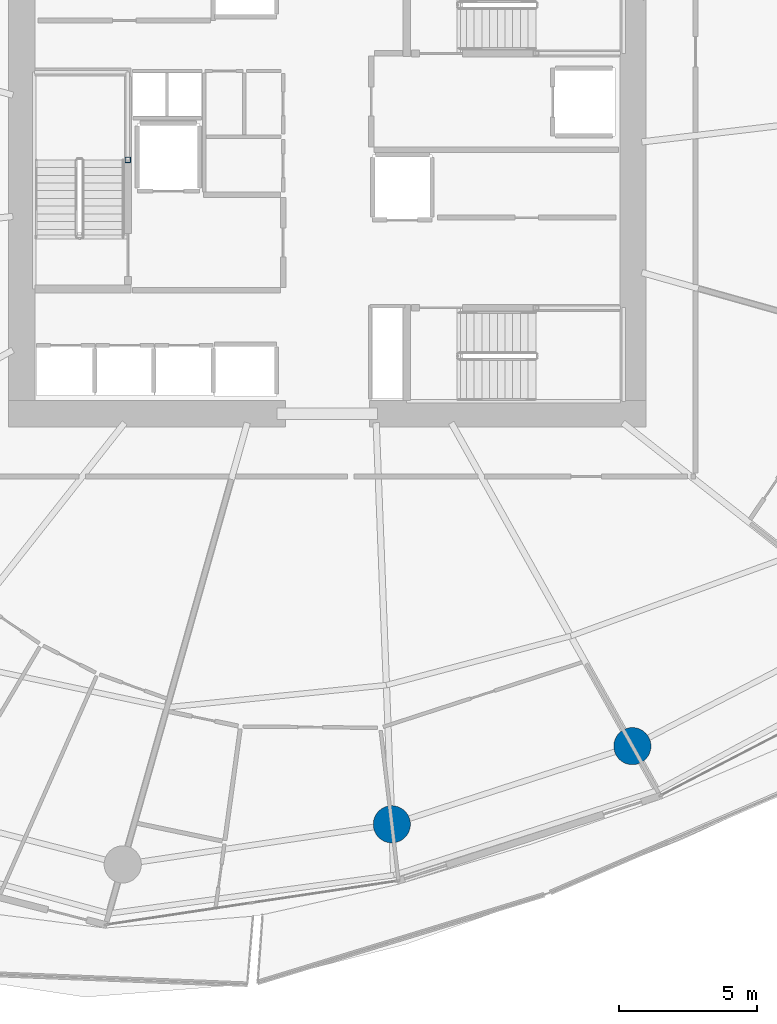
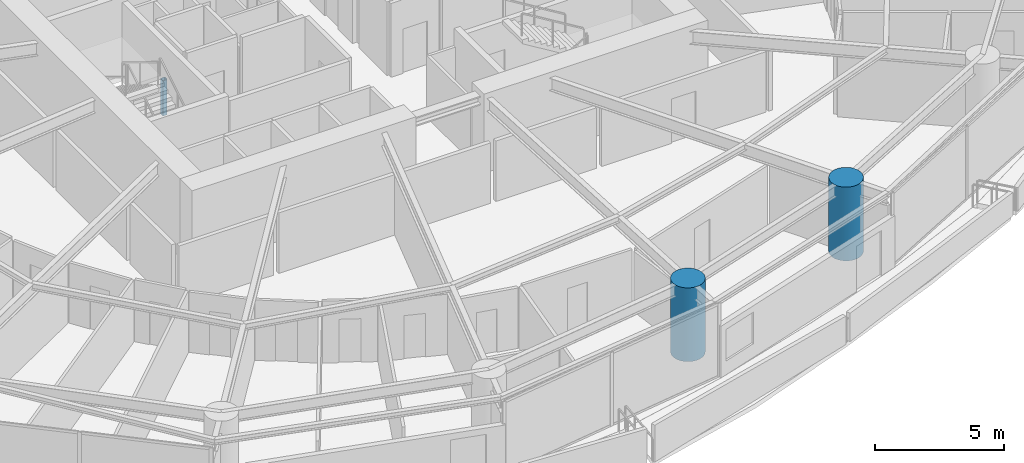
# One storey, part 2 of 31: 3 columns.
"""IFC4 building model written with IfcOpenShell, lengths in metres."""

from ifc_helpers import new_model, si_unit, direction, frame, origin, origin_2d, place, context, subcontext, project, spatial, hollow_rectangle, circle, extrude, material, material_profile, profile_set, type_object, element, save


model = new_model("IFC4")

# Units and contexts
model_context = context("Model", 3, precision=1e-05, world=origin(), true_north=direction((0.0, 1.0)))
body_context = subcontext(model_context, "Body", "Model", "MODEL_VIEW")
ifc_project = project(units=[si_unit("LENGTHUNIT", "METRE"), si_unit("AREAUNIT", "SQUARE_METRE"), si_unit("VOLUMEUNIT", "CUBIC_METRE"), si_unit("PLANEANGLEUNIT", "RADIAN"), si_unit("MASSUNIT", "GRAM", prefix="KILO")], contexts=[model_context])

# Site, building, storey
site_placement = place(None, origin())
site = spatial("IfcSite", under=ifc_project, at=site_placement, CompositionType="ELEMENT")
building_placement = place(site_placement, origin())
building = spatial("IfcBuilding", under=site, at=building_placement, Name="Kazma Halo Residences", CompositionType="ELEMENT")
storey_placement = place(building_placement, frame((0.0, 0.0, 52.64990234375)))
storey = spatial("IfcBuildingStorey", under=building, at=storey_placement, Name="L12", CompositionType="ELEMENT", Elevation=52.64990234375)

# Columns
ifc_material_1 = material(Name="Steel S355", Category="steel")
ifc_material_profile_1 = material_profile(ifc_material_1, hollow_rectangle(XDim=0.199951171875, YDim=0.199951171875, WallThickness=0.010009765625, InnerFilletRadius=0.010009765625, OuterFilletRadius=0.02001953125, at=origin_2d()), Name="SHS200x200x10")
ifc_profile_set_1 = profile_set([ifc_material_profile_1], Name="Steel S355")
column_type_1 = type_object("IfcColumnType", Name="COL-LP-SHS200", PredefinedType="COLUMN", material=ifc_profile_set_1)
column_placement = place(storey_placement, frame((41.179931640625, 42.75, 0.0), z_axis=(0.0, 0.0, 1.0), x_axis=(1.0, 0.0, 0.0)))
element("IfcColumn", 1, at=column_placement, inside=storey, type_object=column_type_1, Name="L12 ST-01 landing pilaster 1", PredefinedType="COLUMN", context=body_context, shape_type="SweptSolid", body=[
    extrude(hollow_rectangle(XDim=0.199951171875, YDim=0.199951171875, WallThickness=0.010009765625, InnerFilletRadius=0.010009765625, OuterFilletRadius=0.02001953125, at=origin_2d()), origin(), (0.0, 0.0, 1.0), 1.670166015625),
])
ifc_material_2 = material(Name="Concrete C80/95", Category="concrete")
ifc_material_profile_2 = material_profile(ifc_material_2, circle(Radius=0.675048828125, at=origin_2d()), Name="CIRC1350")
ifc_profile_set_2 = profile_set([ifc_material_profile_2], Name="Concrete C80/95")
column_type_2 = type_object("IfcColumnType", Name="COL-PERIM-1350", PredefinedType="COLUMN", material=ifc_profile_set_2)
for number, where, z_axis, x_axis, name in (
    (2, (50.768310546875, 18.610595703125, 0.0), (0.0, 0.0, 1.0), (1.0, 0.0, 0.0), "L12 perimeter ring column P12"),
    (3, (59.50830078125, 21.450439453125, 0.0), (0.0, 0.0, 1.0), (1.0, 0.0, 0.0), "L12 perimeter ring column P13"),
):
    element("IfcColumn", number, at=place(storey_placement, frame(where, z_axis=z_axis, x_axis=x_axis)), inside=storey, type_object=column_type_2, Name=name, PredefinedType="COLUMN", context=body_context, shape_type="SweptSolid", body=[
        extrude(circle(Radius=0.675048828125, at=origin_2d()), origin(), (0.0, 0.0, 1.0), 3.5),
    ])

save(model, "model.ifc")
